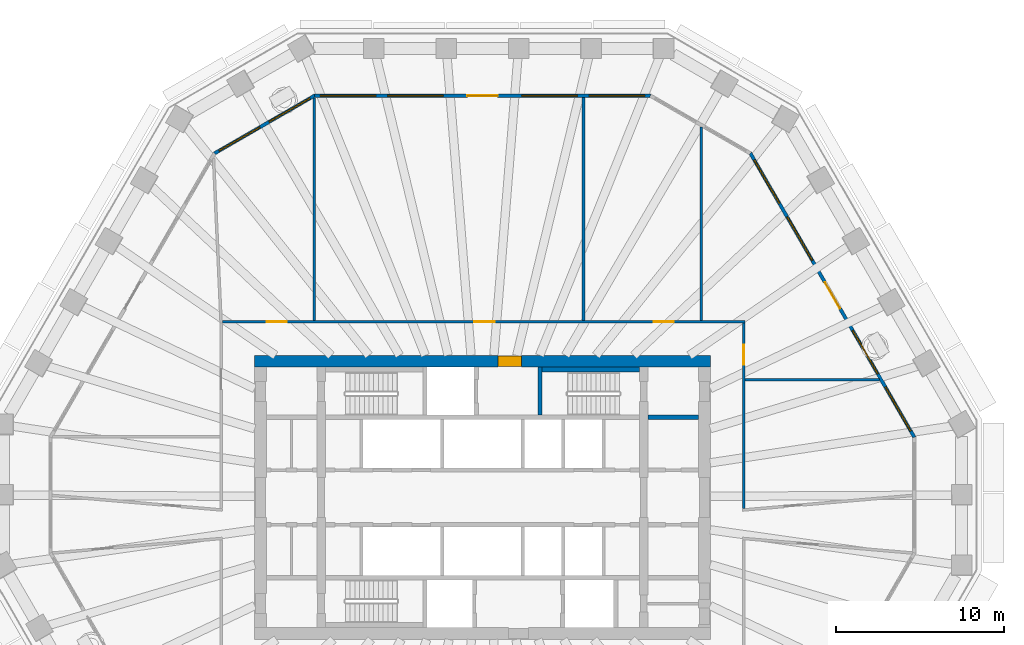
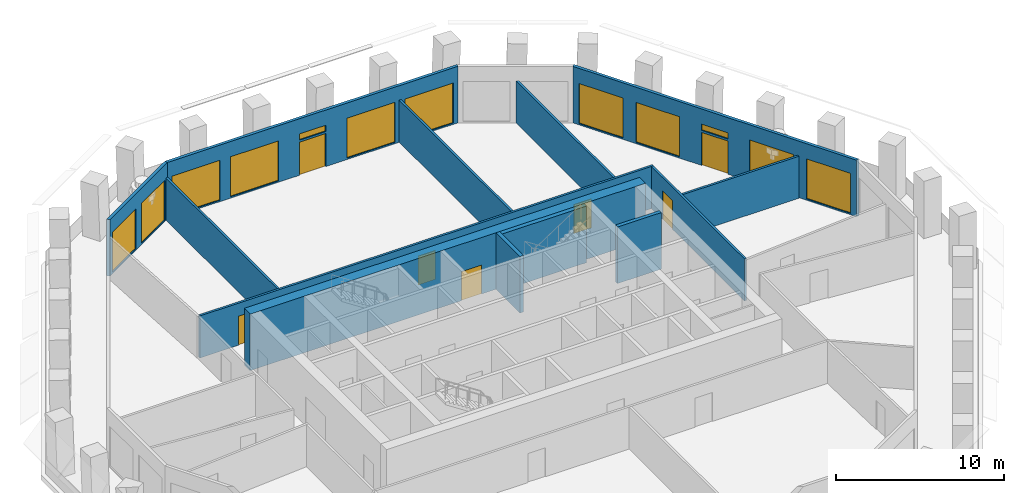
# One storey, part 7 of 12: 13 walls, 12 windows, 7 doors, 19 openings.
"""IFC4 building model written with IfcOpenShell, lengths in metres."""

from ifc_helpers import new_model, si_unit, direction, frame, frame_2d, origin, place, context, subcontext, project, spatial, polyline, rectangle, outline, extrude, material, layer, layer_set, type_object, element, fill, save


model = new_model("IFC4")

# Units and contexts
model_context = context("Model", 3, precision=1e-05, world=origin(), true_north=direction((0.0, 1.0)))
body_context = subcontext(model_context, "Body", "Model", "MODEL_VIEW")
ifc_project = project(units=[si_unit("LENGTHUNIT", "METRE"), si_unit("AREAUNIT", "SQUARE_METRE"), si_unit("VOLUMEUNIT", "CUBIC_METRE"), si_unit("PLANEANGLEUNIT", "RADIAN"), si_unit("MASSUNIT", "GRAM", prefix="KILO")], contexts=[model_context])

# Site, building, storey
site_placement = place(None, origin())
site = spatial("IfcSite", under=ifc_project, at=site_placement, CompositionType="ELEMENT")
building_placement = place(site_placement, origin())
building = spatial("IfcBuilding", under=site, at=building_placement, Name="Frailejon Research Tower", CompositionType="ELEMENT")
storey_placement = place(building_placement, frame((0.0, 0.0, 149.60009765625)))
storey = spatial("IfcBuildingStorey", under=building, at=storey_placement, Name="L32", CompositionType="ELEMENT", Elevation=149.60009765625)

# Wall, opening, door
ifc_material_1 = material(Name="Concrete C60/75", Category="concrete")
ifc_layer_1 = layer(ifc_material_1, 0.699951171875)
ifc_layer_set_1 = layer_set([ifc_layer_1], Name="Core shear wall 700 C60/75")
wall_type_1 = type_object("IfcWallType", Name="Core shear wall 700 C60/75", PredefinedType="SHEAR", material=ifc_layer_set_1)
wall_1_placement = place(storey_placement, frame((-13.550048828125, 8.10009765625, 0.0), z_axis=(0.0, 0.0, 1.0), x_axis=(1.0, 0.0, 0.0)))
wall_1 = element("IfcWall", 1, at=wall_1_placement, inside=storey, type_object=wall_type_1, Name="Core shear wall", PredefinedType="SHEAR", context=body_context, shape_type="SweptSolid", body=[
    extrude(rectangle(XDim=27.10009765625, YDim=0.699951171875, at=frame_2d((13.550048828125, 0.0))), origin(), (0.0, 0.0, 1.0), 4.099853515625),
])
opening_1_placement = place(wall_1_placement, frame((14.47509765625, 0.0, 0.0)))
opening_1 = element("IfcOpeningElement", 2, at=opening_1_placement, cuts=wall_1, Name="Opening D9", PredefinedType="OPENING", context=body_context, shape_type="SweptSolid", body=[
    extrude(rectangle(XDim=1.39990234375, YDim=2.10009765625, at=frame_2d((0.699951171875, 1.050048828125))), frame((0.0, 0.35986328125, 0.0), z_axis=(0.0, -1.0, 0.0), x_axis=(1.0, 0.0, 0.0)), (0.0, 0.0, 1.0), 0.719970703125),
])
ifc_material_2 = material(Name="Steel", Category="steel")
door_type_1 = type_object("IfcDoorType", Name="Goods lobby door", OperationType="DOUBLE_DOOR_SINGLE_SWING", PredefinedType="DOOR", material=ifc_material_2)
door_1_placement = place(opening_1_placement, origin())
door_1 = element("IfcDoor", 3, at=door_1_placement, inside=storey, type_object=door_type_1, Name="Goods lobby door", OperationType="DOUBLE_DOOR_SINGLE_SWING", OverallHeight=2.10009765625, OverallWidth=1.39990234375, PredefinedType="DOOR", context=body_context, shape_type="SweptSolid", body=[
    extrude(rectangle(XDim=1.39990234375, YDim=2.10009765625, at=frame_2d((0.699951171875, 1.050048828125))), frame((0.0, 0.300048828125, 0.0), z_axis=(0.0, -1.0, 0.0), x_axis=(1.0, 0.0, 0.0)), (0.0, 0.0, 1.0), 0.60009765625),
])
fill(opening_1, door_1)

ifc_material_3 = material(Name="Gypsum board and masonry partition", Category="masonry")
ifc_layer_2 = layer(ifc_material_3, 0.14990234375)
ifc_layer_set_2 = layer_set([ifc_layer_2], Name="Corridor wall EI 60, gypsum on steel studs 150")
wall_type_2 = type_object("IfcWallType", Name="Corridor wall EI 60, gypsum on steel studs 150", PredefinedType="PARTITIONING", material=ifc_layer_set_2)
wall_2_placement = place(storey_placement, frame((15.550048828125, -0.668701171875, 0.0), z_axis=(0.0, 0.0, 1.0), x_axis=(0.0, 1.0, 0.0)))
wall_2 = element("IfcWall", 4, at=wall_2_placement, inside=storey, type_object=wall_type_2, Name="T:IW:L32:002", PredefinedType="PARTITIONING", context=body_context, shape_type="SweptSolid", body=[
    extrude(rectangle(XDim=11.043701171875, YDim=0.14990234375, at=frame_2d((5.52197265625, 0.0))), origin(), (0.0, 0.0, 1.0), 3.0498046875),
])
opening_2_placement = place(wall_2_placement, frame((8.55419921875, 0.0, 0.0)))
opening_2 = element("IfcOpeningElement", 5, at=opening_2_placement, cuts=wall_2, Name="Opening D1709", PredefinedType="OPENING", context=body_context, shape_type="SweptSolid", body=[
    extrude(rectangle(XDim=1.199951171875, YDim=2.10009765625, at=frame_2d((0.60009765625, 1.050048828125))), frame((0.0, 0.0849609375, 0.0), z_axis=(0.0, -1.0, 0.0), x_axis=(1.0, 0.0, 0.0)), (0.0, 0.0, 1.0), 0.169921875),
])
ifc_material_4 = material(Name="Timber door leaf", Category="wood")
door_type_2 = type_object("IfcDoorType", Name="Door laboratory, timber, vision panel 1200", OperationType="NOTDEFINED", PredefinedType="DOOR", material=ifc_material_4)
door_2_placement = place(opening_2_placement, origin())
door_2 = element("IfcDoor", 6, at=door_2_placement, inside=storey, type_object=door_type_2, Name="D1709", OperationType="DOUBLE_DOOR_SINGLE_SWING", OverallHeight=2.10009765625, OverallWidth=1.199951171875, PredefinedType="DOOR", context=body_context, shape_type="SweptSolid", body=[
    extrude(rectangle(XDim=1.199951171875, YDim=2.10009765625, at=frame_2d((0.60009765625, 1.050048828125))), frame((0.0, 0.02490234375, 0.0), z_axis=(0.0, -1.0, 0.0), x_axis=(1.0, 0.0, 0.0)), (0.0, 0.0, 1.0), 0.050048828125),
])
fill(opening_2, door_2)

# Wall, openings, doors
wall_3_placement = place(storey_placement, frame((-15.47509765625, 10.449951171875, 0.0), z_axis=(0.0, 0.0, 1.0), x_axis=(1.0, 0.0, 0.0)))
wall_3 = element("IfcWall", 7, at=wall_3_placement, inside=storey, type_object=wall_type_2, Name="T:IW:L32:003", PredefinedType="PARTITIONING", context=body_context, shape_type="SweptSolid", body=[
    extrude(rectangle(XDim=31.10009765625, YDim=0.14990234375, at=frame_2d((15.550048828125, 0.0))), origin(), (0.0, 0.0, 1.0), 3.0498046875),
])
opening_3_placement = place(wall_3_placement, frame((25.66455078125, 0.0, 0.0)))
opening_3 = element("IfcOpeningElement", 8, at=opening_3_placement, cuts=wall_3, Name="Opening D1710", PredefinedType="OPENING", context=body_context, shape_type="SweptSolid", body=[
    extrude(rectangle(XDim=1.199951171875, YDim=2.10009765625, at=frame_2d((0.60009765625, 1.050048828125))), frame((0.0, 0.0849609375, 0.0), z_axis=(0.0, -1.0, 0.0), x_axis=(1.0, 0.0, 0.0)), (0.0, 0.0, 1.0), 0.169921875),
])
opening_4_placement = place(wall_3_placement, frame((14.990478515625, 0.0, 0.0)))
opening_4 = element("IfcOpeningElement", 9, at=opening_4_placement, cuts=wall_3, Name="Opening D1711", PredefinedType="OPENING", context=body_context, shape_type="SweptSolid", body=[
    extrude(rectangle(XDim=1.199951171875, YDim=2.10009765625, at=frame_2d((0.60009765625, 1.050048828125))), frame((0.0, 0.0849609375, 0.0), z_axis=(0.0, -1.0, 0.0), x_axis=(1.0, 0.0, 0.0)), (0.0, 0.0, 1.0), 0.169921875),
])
opening_5_placement = place(wall_3_placement, frame((2.63720703125, 0.0, 0.0)))
opening_5 = element("IfcOpeningElement", 10, at=opening_5_placement, cuts=wall_3, Name="Opening D1712", PredefinedType="OPENING", context=body_context, shape_type="SweptSolid", body=[
    extrude(rectangle(XDim=1.199951171875, YDim=2.10009765625, at=frame_2d((0.60009765625, 1.050048828125))), frame((0.0, 0.0849609375, 0.0), z_axis=(0.0, -1.0, 0.0), x_axis=(1.0, 0.0, 0.0)), (0.0, 0.0, 1.0), 0.169921875),
])
door_3_placement = place(opening_3_placement, origin())
door_3 = element("IfcDoor", 11, at=door_3_placement, inside=storey, type_object=door_type_2, Name="D1710", OperationType="DOUBLE_DOOR_SINGLE_SWING", OverallHeight=2.10009765625, OverallWidth=1.199951171875, PredefinedType="DOOR", context=body_context, shape_type="SweptSolid", body=[
    extrude(rectangle(XDim=1.199951171875, YDim=2.10009765625, at=frame_2d((0.60009765625, 1.050048828125))), frame((0.0, 0.02490234375, 0.0), z_axis=(0.0, -1.0, 0.0), x_axis=(1.0, 0.0, 0.0)), (0.0, 0.0, 1.0), 0.050048828125),
])
fill(opening_3, door_3)
door_4_placement = place(opening_4_placement, origin())
door_4 = element("IfcDoor", 12, at=door_4_placement, inside=storey, type_object=door_type_2, Name="D1711", OperationType="DOUBLE_DOOR_SINGLE_SWING", OverallHeight=2.10009765625, OverallWidth=1.199951171875, PredefinedType="DOOR", context=body_context, shape_type="SweptSolid", body=[
    extrude(rectangle(XDim=1.199951171875, YDim=2.10009765625, at=frame_2d((0.60009765625, 1.050048828125))), frame((0.0, 0.02490234375, 0.0), z_axis=(0.0, -1.0, 0.0), x_axis=(1.0, 0.0, 0.0)), (0.0, 0.0, 1.0), 0.050048828125),
])
fill(opening_4, door_4)
door_5_placement = place(opening_5_placement, origin())
door_5 = element("IfcDoor", 13, at=door_5_placement, inside=storey, type_object=door_type_2, Name="D1712", OperationType="DOUBLE_DOOR_SINGLE_SWING", OverallHeight=2.10009765625, OverallWidth=1.199951171875, PredefinedType="DOOR", context=body_context, shape_type="SweptSolid", body=[
    extrude(rectangle(XDim=1.199951171875, YDim=2.10009765625, at=frame_2d((0.60009765625, 1.050048828125))), frame((0.0, 0.02490234375, 0.0), z_axis=(0.0, -1.0, 0.0), x_axis=(1.0, 0.0, 0.0)), (0.0, 0.0, 1.0), 0.050048828125),
])
fill(opening_5, door_5)

# Walls
ifc_material_5 = material(Name="Gypsum board and masonry partition", Category="masonry")
ifc_layer_3 = layer(ifc_material_5, 0.14990234375)
ifc_layer_set_3 = layer_set([ifc_layer_3], Name="Laboratory partition, blockwork 150")
wall_type_3 = type_object("IfcWallType", Name="Laboratory partition, blockwork 150", PredefinedType="PARTITIONING", material=ifc_layer_set_3)
wall_4_placement = place(storey_placement, frame((15.625, 6.989013671875, 0.0), z_axis=(0.0, 0.0, 1.0), x_axis=(1.0, 0.0, 0.0)))
element("IfcWall", 14, at=wall_4_placement, inside=storey, type_object=wall_type_3, Name="T:IW:L32:011", PredefinedType="PARTITIONING", context=body_context, shape_type="SweptSolid", body=[
    extrude(rectangle(XDim=7.9814453125, YDim=0.14990234375, at=frame_2d((3.99072265625, 0.0))), origin(), (0.0, 0.0, 1.0), 3.0498046875),
])
wall_5_placement = place(storey_placement, frame((13.01611328125, 10.52490234375, 0.0), z_axis=(0.0, 0.0, 1.0), x_axis=(0.0, 1.0, 0.0)))
element("IfcWall", 15, at=wall_5_placement, inside=storey, type_object=wall_type_3, Name="T:IW:L32:012", PredefinedType="PARTITIONING", context=body_context, shape_type="SweptSolid", body=[
    extrude(rectangle(XDim=11.51220703125, YDim=0.14990234375, at=frame_2d((5.756103515625, 0.0))), origin(), (0.0, 0.0, 1.0), 3.0498046875),
])
wall_6_placement = place(storey_placement, frame((6.009521484375, 10.52490234375, 0.0), z_axis=(0.0, 0.0, 1.0), x_axis=(0.0, 1.0, 0.0)))
element("IfcWall", 16, at=wall_6_placement, inside=storey, type_object=wall_type_3, Name="T:IW:L32:013", PredefinedType="PARTITIONING", context=body_context, shape_type="SweptSolid", body=[
    extrude(rectangle(XDim=13.275146484375, YDim=0.14990234375, at=frame_2d((6.6376953125, 0.0))), origin(), (0.0, 0.0, 1.0), 3.0498046875),
])
wall_7_placement = place(storey_placement, frame((-10.01611328125, 10.52490234375, 0.0), z_axis=(0.0, 0.0, 1.0), x_axis=(0.0, 1.0, 0.0)))
element("IfcWall", 17, at=wall_7_placement, inside=storey, type_object=wall_type_3, Name="T:IW:L32:014", PredefinedType="PARTITIONING", context=body_context, shape_type="SweptSolid", body=[
    extrude(rectangle(XDim=13.244140625, YDim=0.14990234375, at=frame_2d((6.6220703125, 0.0))), origin(), (0.0, 0.0, 1.0), 3.0498046875),
])
ifc_material_6 = material(Name="Concrete C60/75", Category="concrete")
ifc_layer_4 = layer(ifc_material_6, 0.25)
ifc_layer_set_4 = layer_set([ifc_layer_4], Name="Shaft wall 250 C60/75")
wall_type_4 = type_object("IfcWallType", Name="Shaft wall 250 C60/75", PredefinedType="SOLIDWALL", material=ifc_layer_set_4)
wall_8_placement = place(storey_placement, frame((9.85009765625, 4.77490234375, 0.0), z_axis=(0.0, 0.0, 1.0), x_axis=(1.0, 0.0, 0.0)))
element("IfcWall", 18, at=wall_8_placement, inside=storey, type_object=wall_type_4, Name="Shaft wall", PredefinedType="SOLIDWALL", context=body_context, shape_type="SweptSolid", body=[
    extrude(rectangle(XDim=3.0, YDim=0.25, at=frame_2d((1.5, 0.0))), origin(), (0.0, 0.0, 1.0), 4.099853515625),
])
wall_9_placement = place(storey_placement, frame((3.425048828125, 4.89990234375, 0.0), z_axis=(0.0, 0.0, 1.0), x_axis=(0.0, 1.0, 0.0)))
element("IfcWall", 19, at=wall_9_placement, inside=storey, type_object=wall_type_4, Name="Shaft wall", PredefinedType="SOLIDWALL", context=body_context, shape_type="SweptSolid", body=[
    extrude(rectangle(XDim=2.85009765625, YDim=0.25, at=frame_2d((1.425048828125, 0.0))), origin(), (0.0, 0.0, 1.0), 4.099853515625),
])
ifc_material_7 = material(Name="Concrete C60/75", Category="concrete")
ifc_layer_5 = layer(ifc_material_7, 0.300048828125)
ifc_layer_set_5 = layer_set([ifc_layer_5], Name="Shaft wall 300 C60/75")
wall_type_5 = type_object("IfcWallType", Name="Shaft wall 300 C60/75", PredefinedType="SOLIDWALL", material=ifc_layer_set_5)
wall_10_placement = place(storey_placement, frame((3.550048828125, 7.60009765625, 0.0), z_axis=(0.0, 0.0, 1.0), x_axis=(1.0, 0.0, 0.0)))
element("IfcWall", 20, at=wall_10_placement, inside=storey, type_object=wall_type_5, Name="Shaft wall", PredefinedType="SOLIDWALL", context=body_context, shape_type="SweptSolid", body=[
    extrude(rectangle(XDim=5.800048828125, YDim=0.300048828125, at=frame_2d((2.89990234375, 0.0))), origin(), (0.0, 0.0, 1.0), 4.099853515625),
])

# Wall, openings, door, windows
ifc_material_8 = material(Name="Concrete C40/50 precast window wall panel", Category="concrete")
ifc_layer_6 = layer(ifc_material_8, 0.199951171875)
ifc_layer_set_6 = layer_set([ifc_layer_6], Name="Window wall 200")
wall_type_6 = type_object("IfcWallType", Name="Window wall 200", PredefinedType="SOLIDWALL", material=ifc_layer_set_6)
wall_11_placement = place(storey_placement, frame((25.692626953125, 3.57568359375, 0.0), z_axis=(0.0, 0.0, 1.0), x_axis=(-0.500002434251, 0.866023998365, 0.0)))
wall_11 = element("IfcWall", 21, at=wall_11_placement, inside=storey, type_object=wall_type_6, Name="Exterior wall L32", PredefinedType="SOLIDWALL", context=body_context, shape_type="SweptSolid", body=[
    extrude(outline(polyline([(-0.02685546875, -0.10009765625), (1.002197265625, -0.10009765625), (2.031494140625, -0.10009765625), (3.060546875, -0.10009765625), (4.089599609375, -0.10009765625), (5.11865234375, -0.10009765625), (6.14794921875, -0.10009765625), (7.177001953125, -0.10009765625), (8.2060546875, -0.10009765625), (9.235107421875, -0.10009765625), (10.264404296875, -0.10009765625), (11.29345703125, -0.10009765625), (12.322509765625, -0.10009765625), (13.3515625, -0.10009765625), (14.380859375, -0.10009765625), (15.409912109375, -0.10009765625), (16.43896484375, -0.10009765625), (17.468017578125, -0.10009765625), (18.497314453125, -0.10009765625), (19.5263671875, -0.10009765625), (19.47265625, 0.10009765625), (18.44921875, 0.10009765625), (17.42578125, 0.10009765625), (16.40234375, 0.10009765625), (15.37890625, 0.10009765625), (14.355224609375, 0.10009765625), (13.331787109375, 0.10009765625), (12.308349609375, 0.10009765625), (11.284912109375, 0.10009765625), (10.261474609375, 0.10009765625), (9.238037109375, 0.10009765625), (8.214599609375, 0.10009765625), (7.191162109375, 0.10009765625), (6.167724609375, 0.10009765625), (5.144287109375, 0.10009765625), (4.12060546875, 0.10009765625), (3.09716796875, 0.10009765625), (2.07373046875, 0.10009765625), (1.05029296875, 0.10009765625), (0.02685546875, 0.10009765625), (-0.02685546875, -0.10009765625)])), origin(), (0.0, 0.0, 1.0), 4.099853515625),
])
opening_6_placement = place(wall_11_placement, frame((0.449951171875, 0.0, 0.10009765625)))
opening_6 = element("IfcOpeningElement", 22, at=opening_6_placement, cuts=wall_11, Name="Opening W4", PredefinedType="OPENING", context=body_context, shape_type="SweptSolid", body=[
    extrude(rectangle(XDim=3.0, YDim=2.89990234375, at=frame_2d((1.5, 1.449951171875))), frame((0.0, 0.10986328125, 0.0), z_axis=(0.0, -1.0, 0.0), x_axis=(1.0, 0.0, 0.0)), (0.0, 0.0, 1.0), 0.219970703125),
])
opening_7_placement = place(wall_11_placement, frame((4.349853515625, 0.0, 0.10009765625)))
opening_7 = element("IfcOpeningElement", 23, at=opening_7_placement, cuts=wall_11, Name="Opening W4", PredefinedType="OPENING", context=body_context, shape_type="SweptSolid", body=[
    extrude(rectangle(XDim=3.0, YDim=2.89990234375, at=frame_2d((1.5, 1.449951171875))), frame((0.0, 0.10986328125, 0.0), z_axis=(0.0, -1.0, 0.0), x_axis=(1.0, 0.0, 0.0)), (0.0, 0.0, 1.0), 0.219970703125),
])
opening_8_placement = place(wall_11_placement, frame((8.849853515625, 0.0, 0.0)))
opening_8 = element("IfcOpeningElement", 24, at=opening_8_placement, cuts=wall_11, Name="Opening LG32-1", PredefinedType="OPENING", context=body_context, shape_type="SweptSolid", body=[
    extrude(rectangle(XDim=1.800048828125, YDim=2.39990234375, at=frame_2d((0.89990234375, 1.199951171875))), frame((0.0, 0.10986328125, 0.0), z_axis=(0.0, -1.0, 0.0), x_axis=(1.0, 0.0, 0.0)), (0.0, 0.0, 1.0), 0.219970703125),
])
opening_9_placement = place(wall_11_placement, frame((8.849853515625, 0.0, 2.550048828125)))
opening_9 = element("IfcOpeningElement", 25, at=opening_9_placement, cuts=wall_11, Name="Opening W1", PredefinedType="OPENING", context=body_context, shape_type="SweptSolid", body=[
    extrude(rectangle(XDim=1.800048828125, YDim=0.449951171875, at=frame_2d((0.89990234375, 0.22509765625))), frame((0.0, 0.10986328125, 0.0), z_axis=(0.0, -1.0, 0.0), x_axis=(1.0, 0.0, 0.0)), (0.0, 0.0, 1.0), 0.219970703125),
])
opening_10_placement = place(wall_11_placement, frame((12.149658203125, 0.0, 0.10009765625)))
opening_10 = element("IfcOpeningElement", 26, at=opening_10_placement, cuts=wall_11, Name="Opening W4", PredefinedType="OPENING", context=body_context, shape_type="SweptSolid", body=[
    extrude(rectangle(XDim=3.0, YDim=2.89990234375, at=frame_2d((1.5, 1.449951171875))), frame((0.0, 0.10986328125, 0.0), z_axis=(0.0, -1.0, 0.0), x_axis=(1.0, 0.0, 0.0)), (0.0, 0.0, 1.0), 0.219970703125),
])
opening_11_placement = place(wall_11_placement, frame((16.049560546875, 0.0, 0.10009765625)))
opening_11 = element("IfcOpeningElement", 27, at=opening_11_placement, cuts=wall_11, Name="Opening W4", PredefinedType="OPENING", context=body_context, shape_type="SweptSolid", body=[
    extrude(rectangle(XDim=3.0, YDim=2.89990234375, at=frame_2d((1.5, 1.449951171875))), frame((0.0, 0.10986328125, 0.0), z_axis=(0.0, -1.0, 0.0), x_axis=(1.0, 0.0, 0.0)), (0.0, 0.0, 1.0), 0.219970703125),
])
ifc_material_9 = material(Name="Aluminium framed glazed door leaf", Category="aluminium")
door_type_3 = type_object("IfcDoorType", Name="Loggia door 1800x2400", OperationType="DOUBLE_DOOR_SINGLE_SWING", PredefinedType="DOOR", material=ifc_material_9)
door_6_placement = place(opening_8_placement, origin())
door_6 = element("IfcDoor", 28, at=door_6_placement, inside=storey, type_object=door_type_3, Name="Door LG32-1", OperationType="DOUBLE_DOOR_SINGLE_SWING", OverallHeight=2.39990234375, OverallWidth=1.800048828125, PredefinedType="DOOR", context=body_context, shape_type="SweptSolid", body=[
    extrude(rectangle(XDim=1.800048828125, YDim=2.39990234375, at=frame_2d((0.89990234375, 1.199951171875))), frame((0.0, 0.02490234375, 0.0), z_axis=(0.0, -1.0, 0.0), x_axis=(1.0, 0.0, 0.0)), (0.0, 0.0, 1.0), 0.050048828125),
])
fill(opening_8, door_6)
ifc_material_10 = material(Name="Aluminium framed double glazing", Category="aluminium")
window_type_1 = type_object("IfcWindowType", Name="Window 1800x450", PartitioningType="SINGLE_PANEL", PredefinedType="WINDOW", material=ifc_material_10)
window_1_placement = place(opening_9_placement, origin())
window_1 = element("IfcWindow", 29, at=window_1_placement, inside=storey, type_object=window_type_1, Name="Window L32", OverallHeight=0.449951171875, OverallWidth=1.800048828125, PartitioningType="SINGLE_PANEL", PredefinedType="WINDOW", context=body_context, shape_type="SweptSolid", body=[
    extrude(rectangle(XDim=1.800048828125, YDim=0.449951171875, at=frame_2d((0.89990234375, 0.22509765625))), frame((0.0, 0.030029296875, 0.0), z_axis=(0.0, -1.0, 0.0), x_axis=(1.0, 0.0, 0.0)), (0.0, 0.0, 1.0), 0.06005859375),
])
fill(opening_9, window_1)
ifc_material_11 = material(Name="Aluminium framed double glazing", Category="aluminium")
window_type_2 = type_object("IfcWindowType", Name="Window 3000x2900", PartitioningType="SINGLE_PANEL", PredefinedType="WINDOW", material=ifc_material_11)
window_2_placement = place(opening_6_placement, origin())
window_2 = element("IfcWindow", 30, at=window_2_placement, inside=storey, type_object=window_type_2, Name="Window L32", OverallHeight=2.89990234375, OverallWidth=3.0, PartitioningType="SINGLE_PANEL", PredefinedType="WINDOW", context=body_context, shape_type="SweptSolid", body=[
    extrude(rectangle(XDim=3.0, YDim=2.89990234375, at=frame_2d((1.5, 1.449951171875))), frame((0.0, 0.030029296875, 0.0), z_axis=(0.0, -1.0, 0.0), x_axis=(1.0, 0.0, 0.0)), (0.0, 0.0, 1.0), 0.06005859375),
])
fill(opening_6, window_2)
window_3_placement = place(opening_7_placement, origin())
window_3 = element("IfcWindow", 31, at=window_3_placement, inside=storey, type_object=window_type_2, Name="Window L32", OverallHeight=2.89990234375, OverallWidth=3.0, PartitioningType="SINGLE_PANEL", PredefinedType="WINDOW", context=body_context, shape_type="SweptSolid", body=[
    extrude(rectangle(XDim=3.0, YDim=2.89990234375, at=frame_2d((1.5, 1.449951171875))), frame((0.0, 0.030029296875, 0.0), z_axis=(0.0, -1.0, 0.0), x_axis=(1.0, 0.0, 0.0)), (0.0, 0.0, 1.0), 0.06005859375),
])
fill(opening_7, window_3)
window_4_placement = place(opening_10_placement, origin())
window_4 = element("IfcWindow", 32, at=window_4_placement, inside=storey, type_object=window_type_2, Name="Window L32", OverallHeight=2.89990234375, OverallWidth=3.0, PartitioningType="SINGLE_PANEL", PredefinedType="WINDOW", context=body_context, shape_type="SweptSolid", body=[
    extrude(rectangle(XDim=3.0, YDim=2.89990234375, at=frame_2d((1.5, 1.449951171875))), frame((0.0, 0.030029296875, 0.0), z_axis=(0.0, -1.0, 0.0), x_axis=(1.0, 0.0, 0.0)), (0.0, 0.0, 1.0), 0.06005859375),
])
fill(opening_10, window_4)
window_5_placement = place(opening_11_placement, origin())
window_5 = element("IfcWindow", 33, at=window_5_placement, inside=storey, type_object=window_type_2, Name="Window L32", OverallHeight=2.89990234375, OverallWidth=3.0, PartitioningType="SINGLE_PANEL", PredefinedType="WINDOW", context=body_context, shape_type="SweptSolid", body=[
    extrude(rectangle(XDim=3.0, YDim=2.89990234375, at=frame_2d((1.5, 1.449951171875))), frame((0.0, 0.030029296875, 0.0), z_axis=(0.0, -1.0, 0.0), x_axis=(1.0, 0.0, 0.0)), (0.0, 0.0, 1.0), 0.06005859375),
])
fill(opening_11, window_5)

wall_12_placement = place(storey_placement, frame((9.9892578125, 23.89990234375, 0.0), z_axis=(0.0, 0.0, 1.0), x_axis=(-1.0, 0.0, 0.0)))
wall_12 = element("IfcWall", 34, at=wall_12_placement, inside=storey, type_object=wall_type_6, Name="Exterior wall L32", PredefinedType="SOLIDWALL", context=body_context, shape_type="SweptSolid", body=[
    extrude(outline(polyline([(-0.02685546875, -0.10009765625), (1.027587890625, -0.10009765625), (2.081787109375, -0.10009765625), (3.13623046875, -0.10009765625), (4.1904296875, -0.10009765625), (5.244873046875, -0.10009765625), (6.299072265625, -0.10009765625), (7.353515625, -0.10009765625), (8.40771484375, -0.10009765625), (9.462158203125, -0.10009765625), (10.516357421875, -0.10009765625), (11.57080078125, -0.10009765625), (12.625, -0.10009765625), (13.679443359375, -0.10009765625), (14.733642578125, -0.10009765625), (15.7880859375, -0.10009765625), (16.84228515625, -0.10009765625), (17.896728515625, -0.10009765625), (18.950927734375, -0.10009765625), (20.00537109375, -0.10009765625), (19.95166015625, 0.10009765625), (18.903076171875, 0.10009765625), (17.854248046875, 0.10009765625), (16.8056640625, 0.10009765625), (15.757080078125, 0.10009765625), (14.708251953125, 0.10009765625), (13.65966796875, 0.10009765625), (12.61083984375, 0.10009765625), (11.562255859375, 0.10009765625), (10.513671875, 0.10009765625), (9.46484375, 0.10009765625), (8.416259765625, 0.10009765625), (7.36767578125, 0.10009765625), (6.31884765625, 0.10009765625), (5.270263671875, 0.10009765625), (4.221435546875, 0.10009765625), (3.1728515625, 0.10009765625), (2.124267578125, 0.10009765625), (1.075439453125, 0.10009765625), (0.02685546875, 0.10009765625), (-0.02685546875, -0.10009765625)])), origin(), (0.0, 0.0, 1.0), 4.099853515625),
])
opening_12_placement = place(wall_12_placement, frame((0.347900390625, 0.0, 0.10009765625)))
opening_12 = element("IfcOpeningElement", 35, at=opening_12_placement, cuts=wall_12, Name="Opening W5", PredefinedType="OPENING", context=body_context, shape_type="SweptSolid", body=[
    extrude(rectangle(XDim=3.300048828125, YDim=2.89990234375, at=frame_2d((1.64990234375, 1.449951171875))), frame((0.0, 0.10986328125, 0.0), z_axis=(0.0, -1.0, 0.0), x_axis=(1.0, 0.0, 0.0)), (0.0, 0.0, 1.0), 0.219970703125),
])
opening_13_placement = place(wall_12_placement, frame((4.343505859375, 0.0, 0.10009765625)))
opening_13 = element("IfcOpeningElement", 36, at=opening_13_placement, cuts=wall_12, Name="Opening W5", PredefinedType="OPENING", context=body_context, shape_type="SweptSolid", body=[
    extrude(rectangle(XDim=3.300048828125, YDim=2.89990234375, at=frame_2d((1.64990234375, 1.449951171875))), frame((0.0, 0.10986328125, 0.0), z_axis=(0.0, -1.0, 0.0), x_axis=(1.0, 0.0, 0.0)), (0.0, 0.0, 1.0), 0.219970703125),
])
opening_14_placement = place(wall_12_placement, frame((9.08935546875, 0.0, 0.0)))
opening_14 = element("IfcOpeningElement", 37, at=opening_14_placement, cuts=wall_12, Name="Opening LG32-2", PredefinedType="OPENING", context=body_context, shape_type="SweptSolid", body=[
    extrude(rectangle(XDim=1.800048828125, YDim=2.39990234375, at=frame_2d((0.89990234375, 1.199951171875))), frame((0.0, 0.10986328125, 0.0), z_axis=(0.0, -1.0, 0.0), x_axis=(1.0, 0.0, 0.0)), (0.0, 0.0, 1.0), 0.219970703125),
])
opening_15_placement = place(wall_12_placement, frame((9.08935546875, 0.0, 2.550048828125)))
opening_15 = element("IfcOpeningElement", 38, at=opening_15_placement, cuts=wall_12, Name="Opening W1", PredefinedType="OPENING", context=body_context, shape_type="SweptSolid", body=[
    extrude(rectangle(XDim=1.800048828125, YDim=0.449951171875, at=frame_2d((0.89990234375, 0.22509765625))), frame((0.0, 0.10986328125, 0.0), z_axis=(0.0, -1.0, 0.0), x_axis=(1.0, 0.0, 0.0)), (0.0, 0.0, 1.0), 0.219970703125),
])
opening_16_placement = place(wall_12_placement, frame((12.3349609375, 0.0, 0.10009765625)))
opening_16 = element("IfcOpeningElement", 39, at=opening_16_placement, cuts=wall_12, Name="Opening W5", PredefinedType="OPENING", context=body_context, shape_type="SweptSolid", body=[
    extrude(rectangle(XDim=3.300048828125, YDim=2.89990234375, at=frame_2d((1.64990234375, 1.449951171875))), frame((0.0, 0.10986328125, 0.0), z_axis=(0.0, -1.0, 0.0), x_axis=(1.0, 0.0, 0.0)), (0.0, 0.0, 1.0), 0.219970703125),
])
opening_17_placement = place(wall_12_placement, frame((16.330810546875, 0.0, 0.10009765625)))
opening_17 = element("IfcOpeningElement", 40, at=opening_17_placement, cuts=wall_12, Name="Opening W5", PredefinedType="OPENING", context=body_context, shape_type="SweptSolid", body=[
    extrude(rectangle(XDim=3.300048828125, YDim=2.89990234375, at=frame_2d((1.64990234375, 1.449951171875))), frame((0.0, 0.10986328125, 0.0), z_axis=(0.0, -1.0, 0.0), x_axis=(1.0, 0.0, 0.0)), (0.0, 0.0, 1.0), 0.219970703125),
])
door_7_placement = place(opening_14_placement, origin())
door_7 = element("IfcDoor", 41, at=door_7_placement, inside=storey, type_object=door_type_3, Name="Door LG32-2", OperationType="DOUBLE_DOOR_SINGLE_SWING", OverallHeight=2.39990234375, OverallWidth=1.800048828125, PredefinedType="DOOR", context=body_context, shape_type="SweptSolid", body=[
    extrude(rectangle(XDim=1.800048828125, YDim=2.39990234375, at=frame_2d((0.89990234375, 1.199951171875))), frame((0.0, 0.02490234375, 0.0), z_axis=(0.0, -1.0, 0.0), x_axis=(1.0, 0.0, 0.0)), (0.0, 0.0, 1.0), 0.050048828125),
])
fill(opening_14, door_7)
window_6_placement = place(opening_15_placement, origin())
window_6 = element("IfcWindow", 42, at=window_6_placement, inside=storey, type_object=window_type_1, Name="Window L32", OverallHeight=0.449951171875, OverallWidth=1.800048828125, PartitioningType="SINGLE_PANEL", PredefinedType="WINDOW", context=body_context, shape_type="SweptSolid", body=[
    extrude(rectangle(XDim=1.800048828125, YDim=0.449951171875, at=frame_2d((0.89990234375, 0.22509765625))), frame((0.0, 0.030029296875, 0.0), z_axis=(0.0, -1.0, 0.0), x_axis=(1.0, 0.0, 0.0)), (0.0, 0.0, 1.0), 0.06005859375),
])
fill(opening_15, window_6)
ifc_material_12 = material(Name="Aluminium framed double glazing", Category="aluminium")
window_type_3 = type_object("IfcWindowType", Name="Window 3300x2900", PartitioningType="SINGLE_PANEL", PredefinedType="WINDOW", material=ifc_material_12)
window_7_placement = place(opening_12_placement, origin())
window_7 = element("IfcWindow", 43, at=window_7_placement, inside=storey, type_object=window_type_3, Name="Window L32", OverallHeight=2.89990234375, OverallWidth=3.300048828125, PartitioningType="SINGLE_PANEL", PredefinedType="WINDOW", context=body_context, shape_type="SweptSolid", body=[
    extrude(rectangle(XDim=3.300048828125, YDim=2.89990234375, at=frame_2d((1.64990234375, 1.449951171875))), frame((0.0, 0.030029296875, 0.0), z_axis=(0.0, -1.0, 0.0), x_axis=(1.0, 0.0, 0.0)), (0.0, 0.0, 1.0), 0.06005859375),
])
fill(opening_12, window_7)
window_8_placement = place(opening_13_placement, origin())
window_8 = element("IfcWindow", 44, at=window_8_placement, inside=storey, type_object=window_type_3, Name="Window L32", OverallHeight=2.89990234375, OverallWidth=3.300048828125, PartitioningType="SINGLE_PANEL", PredefinedType="WINDOW", context=body_context, shape_type="SweptSolid", body=[
    extrude(rectangle(XDim=3.300048828125, YDim=2.89990234375, at=frame_2d((1.64990234375, 1.449951171875))), frame((0.0, 0.030029296875, 0.0), z_axis=(0.0, -1.0, 0.0), x_axis=(1.0, 0.0, 0.0)), (0.0, 0.0, 1.0), 0.06005859375),
])
fill(opening_13, window_8)
window_9_placement = place(opening_16_placement, origin())
window_9 = element("IfcWindow", 45, at=window_9_placement, inside=storey, type_object=window_type_3, Name="Window L32", OverallHeight=2.89990234375, OverallWidth=3.300048828125, PartitioningType="SINGLE_PANEL", PredefinedType="WINDOW", context=body_context, shape_type="SweptSolid", body=[
    extrude(rectangle(XDim=3.300048828125, YDim=2.89990234375, at=frame_2d((1.64990234375, 1.449951171875))), frame((0.0, 0.030029296875, 0.0), z_axis=(0.0, -1.0, 0.0), x_axis=(1.0, 0.0, 0.0)), (0.0, 0.0, 1.0), 0.06005859375),
])
fill(opening_16, window_9)
window_10_placement = place(opening_17_placement, origin())
window_10 = element("IfcWindow", 46, at=window_10_placement, inside=storey, type_object=window_type_3, Name="Window L32", OverallHeight=2.89990234375, OverallWidth=3.300048828125, PartitioningType="SINGLE_PANEL", PredefinedType="WINDOW", context=body_context, shape_type="SweptSolid", body=[
    extrude(rectangle(XDim=3.300048828125, YDim=2.89990234375, at=frame_2d((1.64990234375, 1.449951171875))), frame((0.0, 0.030029296875, 0.0), z_axis=(0.0, -1.0, 0.0), x_axis=(1.0, 0.0, 0.0)), (0.0, 0.0, 1.0), 0.06005859375),
])
fill(opening_17, window_10)

# Wall, openings, windows
wall_13_placement = place(storey_placement, frame((-9.9892578125, 23.89990234375, 0.0), z_axis=(0.0, 0.0, 1.0), x_axis=(-0.866029458321, -0.49999297727, 0.0)))
wall_13 = element("IfcWall", 47, at=wall_13_placement, inside=storey, type_object=wall_type_6, Name="Exterior wall L32", PredefinedType="SOLIDWALL", context=body_context, shape_type="SweptSolid", body=[
    extrude(outline(polyline([(-0.02685546875, -0.10009765625), (1.1279296875, -0.10009765625), (2.282470703125, -0.10009765625), (3.437255859375, -0.10009765625), (4.592041015625, -0.10009765625), (5.74658203125, -0.10009765625), (6.9013671875, -0.10009765625), (6.84765625, 0.10009765625), (5.7109375, 0.10009765625), (4.573974609375, 0.10009765625), (3.437255859375, 0.10009765625), (2.300537109375, 0.10009765625), (1.16357421875, 0.10009765625), (0.02685546875, 0.10009765625), (-0.02685546875, -0.10009765625)])), origin(), (0.0, 0.0, 1.0), 4.099853515625),
])
opening_18_placement = place(wall_13_placement, frame((0.318603515625, 0.0, 0.10009765625)))
opening_18 = element("IfcOpeningElement", 48, at=opening_18_placement, cuts=wall_13, Name="Opening W3", PredefinedType="OPENING", context=body_context, shape_type="SweptSolid", body=[
    extrude(rectangle(XDim=2.800048828125, YDim=2.89990234375, at=frame_2d((1.39990234375, 1.449951171875))), frame((0.0, 0.10986328125, 0.0), z_axis=(0.0, -1.0, 0.0), x_axis=(1.0, 0.0, 0.0)), (0.0, 0.0, 1.0), 0.219970703125),
])
opening_19_placement = place(wall_13_placement, frame((3.756103515625, 0.0, 0.10009765625)))
opening_19 = element("IfcOpeningElement", 49, at=opening_19_placement, cuts=wall_13, Name="Opening W3", PredefinedType="OPENING", context=body_context, shape_type="SweptSolid", body=[
    extrude(rectangle(XDim=2.800048828125, YDim=2.89990234375, at=frame_2d((1.39990234375, 1.449951171875))), frame((0.0, 0.10986328125, 0.0), z_axis=(0.0, -1.0, 0.0), x_axis=(1.0, 0.0, 0.0)), (0.0, 0.0, 1.0), 0.219970703125),
])
ifc_material_13 = material(Name="Aluminium framed double glazing", Category="aluminium")
window_type_4 = type_object("IfcWindowType", Name="Window 2800x2900", PartitioningType="SINGLE_PANEL", PredefinedType="WINDOW", material=ifc_material_13)
window_11_placement = place(opening_18_placement, origin())
window_11 = element("IfcWindow", 50, at=window_11_placement, inside=storey, type_object=window_type_4, Name="Window L32", OverallHeight=2.89990234375, OverallWidth=2.800048828125, PartitioningType="SINGLE_PANEL", PredefinedType="WINDOW", context=body_context, shape_type="SweptSolid", body=[
    extrude(rectangle(XDim=2.800048828125, YDim=2.89990234375, at=frame_2d((1.39990234375, 1.449951171875))), frame((0.0, 0.030029296875, 0.0), z_axis=(0.0, -1.0, 0.0), x_axis=(1.0, 0.0, 0.0)), (0.0, 0.0, 1.0), 0.06005859375),
])
fill(opening_18, window_11)
window_12_placement = place(opening_19_placement, origin())
window_12 = element("IfcWindow", 51, at=window_12_placement, inside=storey, type_object=window_type_4, Name="Window L32", OverallHeight=2.89990234375, OverallWidth=2.800048828125, PartitioningType="SINGLE_PANEL", PredefinedType="WINDOW", context=body_context, shape_type="SweptSolid", body=[
    extrude(rectangle(XDim=2.800048828125, YDim=2.89990234375, at=frame_2d((1.39990234375, 1.449951171875))), frame((0.0, 0.030029296875, 0.0), z_axis=(0.0, -1.0, 0.0), x_axis=(1.0, 0.0, 0.0)), (0.0, 0.0, 1.0), 0.06005859375),
])
fill(opening_19, window_12)

save(model, "model.ifc")
